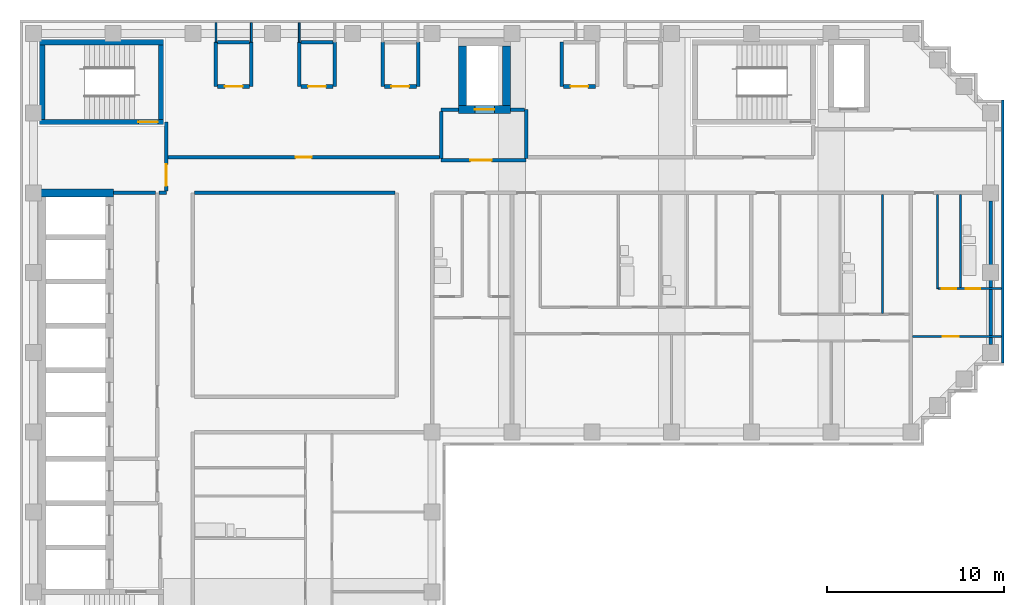
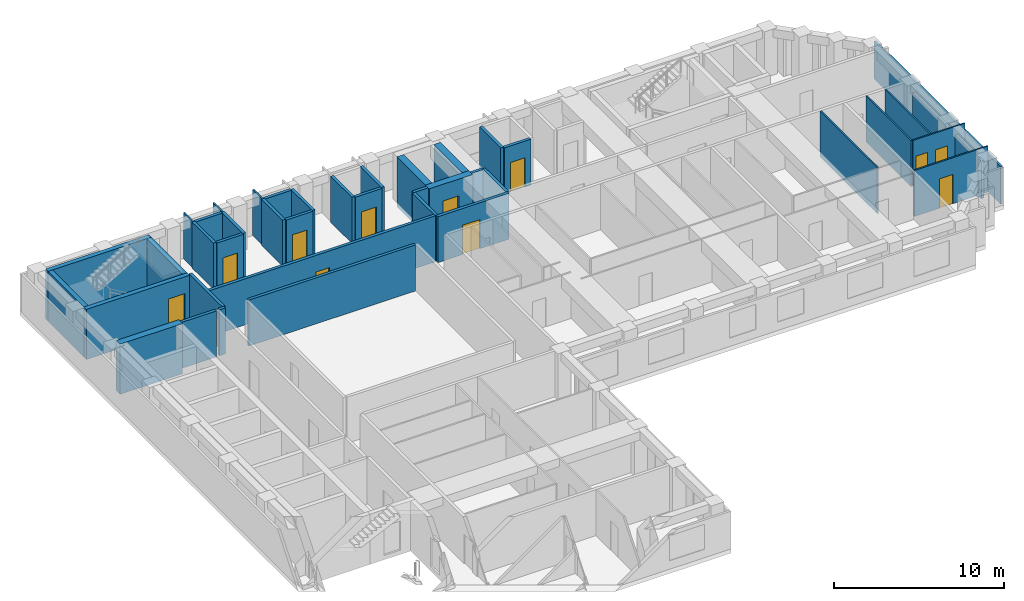
# One storey, part 5 of 9: 41 walls, 12 doors, 12 openings.
"""IFC4 building model written with IfcOpenShell, lengths in metres."""

from ifc_helpers import new_model, si_unit, direction, frame, frame_2d, origin, place, context, subcontext, project, spatial, rectangle, extrude, material, layer, layer_set, type_object, element, fill, save


model = new_model("IFC4")

# Units and contexts
model_context = context("Model", 3, precision=1e-05, world=origin(), true_north=direction((0.0, 1.0)))
body_context = subcontext(model_context, "Body", "Model", "MODEL_VIEW")
ifc_project = project(units=[si_unit("LENGTHUNIT", "METRE"), si_unit("AREAUNIT", "SQUARE_METRE"), si_unit("VOLUMEUNIT", "CUBIC_METRE"), si_unit("PLANEANGLEUNIT", "RADIAN"), si_unit("MASSUNIT", "GRAM", prefix="KILO")], contexts=[model_context])

# Site, building, storey
site_placement = place(None, origin())
site = spatial("IfcSite", under=ifc_project, at=site_placement, CompositionType="ELEMENT")
building_placement = place(site_placement, origin())
building = spatial("IfcBuilding", under=site, at=building_placement, Name="Firuza Court", CompositionType="ELEMENT")
storey_placement = place(building_placement, frame((0.0, 0.0, 215.0)))
storey = spatial("IfcBuildingStorey", under=building, at=storey_placement, Name="L55", CompositionType="ELEMENT", Elevation=215.0)

# Walls
ifc_material_1 = material(Name="Moisture-resistant gypsum board partition")
ifc_layer_1 = layer(ifc_material_1, 0.10009765625)
ifc_layer_set_1 = layer_set([ifc_layer_1], Name="Moisture-resistant gypsum board partition")
wall_type_1 = type_object("IfcWallType", Name="Bathroom partition 100", PredefinedType="PLUMBINGWALL", material=ifc_layer_set_1)
wall_1_placement = place(storey_placement, frame((47.89990234375, 42.699951171875, 0.0), z_axis=(0.0, 0.0, 1.0), x_axis=(0.0, 1.0, 0.0)))
element("IfcWall", 1, at=wall_1_placement, inside=storey, type_object=wall_type_1, Name="Bathroom partition 100 L55", PredefinedType="PLUMBINGWALL", context=body_context, shape_type="SweptSolid", body=[
    extrude(rectangle(XDim=6.699951171875, YDim=0.10009765625, at=frame_2d((3.35009765625, 0.0))), origin(), (0.0, 0.0, 1.0), 3.300048828125),
])
wall_2_placement = place(storey_placement, frame((52.300048828125, 44.14990234375, 0.0), z_axis=(0.0, 0.0, 1.0), x_axis=(0.0, 1.0, 0.0)))
element("IfcWall", 2, at=wall_2_placement, inside=storey, type_object=wall_type_1, Name="Bathroom partition 100 L55", PredefinedType="PLUMBINGWALL", context=body_context, shape_type="SweptSolid", body=[
    extrude(rectangle(XDim=5.25, YDim=0.10009765625, at=frame_2d((2.625, 0.0))), origin(), (0.0, 0.0, 1.0), 3.300048828125),
])

# Wall, opening, door
ifc_material_2 = material(Name="Concrete C50/60", Category="concrete")
ifc_layer_2 = layer(ifc_material_2, 0.300048828125)
ifc_layer_set_2 = layer_set([ifc_layer_2], Name="Concrete C50/60")
wall_type_2 = type_object("IfcWallType", Name="Core wall 300 C50/60", PredefinedType="SHEAR", material=ifc_layer_set_2)
wall_3_placement = place(storey_placement, frame((0.35009765625, 53.5, -0.300048828125), z_axis=(0.0, 0.0, 1.0), x_axis=(1.0, 0.0, 0.0)))
wall_3 = element("IfcWall", 3, at=wall_3_placement, inside=storey, type_object=wall_type_2, Name="Core wall stair L55", PredefinedType="SHEAR", context=body_context, shape_type="SweptSolid", body=[
    extrude(rectangle(XDim=7.0, YDim=0.300048828125, at=frame_2d((3.5, 0.0))), origin(), (0.0, 0.0, 1.0), 3.60009765625),
])
opening_1_placement = place(wall_3_placement, frame((5.580078125, 0.0, 0.300048828125)))
opening_1 = element("IfcOpeningElement", 4, at=opening_1_placement, cuts=wall_3, Name="Opening D55012", PredefinedType="OPENING", context=body_context, shape_type="SweptSolid", body=[
    extrude(rectangle(XDim=1.10009765625, YDim=2.10009765625, at=frame_2d((0.550048828125, 1.050048828125))), frame((0.0, 0.162109375, 0.0), z_axis=(0.0, -1.0, 0.0), x_axis=(1.0, 0.0, 0.0)), (0.0, 0.0, 1.0), 0.323974609375),
])
ifc_material_3 = material(Name="Timber door leaf in hardwood frame", Category="wood")
door_type_1 = type_object("IfcDoorType", Name="Stair door 1100", OperationType="SINGLE_SWING_LEFT", PredefinedType="DOOR", material=ifc_material_3)
door_1_placement = place(opening_1_placement, origin())
door_1 = element("IfcDoor", 5, at=door_1_placement, inside=storey, type_object=door_type_1, Name="Stair door S3", OperationType="SINGLE_SWING_RIGHT", OverallHeight=2.10009765625, OverallWidth=1.10009765625, PredefinedType="DOOR", context=body_context, shape_type="SweptSolid", body=[
    extrude(rectangle(XDim=1.10009765625, YDim=2.10009765625, at=frame_2d((0.550048828125, 1.050048828125))), frame((0.0, 0.02490234375, 0.0), z_axis=(0.0, -1.0, 0.0), x_axis=(1.0, 0.0, 0.0)), (0.0, 0.0, 1.0), 0.050048828125),
])
fill(opening_1, door_1)

# Walls
wall_4_placement = place(storey_placement, frame((0.35009765625, 58.0, -0.300048828125), z_axis=(0.0, 0.0, 1.0), x_axis=(1.0, 0.0, 0.0)))
element("IfcWall", 6, at=wall_4_placement, inside=storey, type_object=wall_type_2, Name="Core wall stair L55", PredefinedType="SHEAR", context=body_context, shape_type="SweptSolid", body=[
    extrude(rectangle(XDim=7.0, YDim=0.300048828125, at=frame_2d((3.5, 0.0))), origin(), (0.0, 0.0, 1.0), 3.60009765625),
])
for number, where, z_axis, x_axis, name in (
    (7, (0.5, 53.64990234375, -0.300048828125), (0.0, 0.0, 1.0), (0.0, 1.0, 0.0), "Core wall stair L55"),
    (8, (7.199951171875, 53.64990234375, -0.300048828125), (0.0, 0.0, 1.0), (0.0, 1.0, 0.0), "Core wall stair L55"),
):
    element("IfcWall", number, at=place(storey_placement, frame(where, z_axis=z_axis, x_axis=x_axis)), inside=storey, type_object=wall_type_2, Name=name, PredefinedType="SHEAR", context=body_context, shape_type="SweptSolid", body=[
        extrude(rectangle(XDim=4.2001953125, YDim=0.300048828125, at=frame_2d((2.10009765625, 0.0))), origin(), (0.0, 0.0, 1.0), 3.60009765625),
    ])
ifc_layer_3 = layer(ifc_material_2, 0.449951171875)
ifc_layer_set_3 = layer_set([ifc_layer_3], Name="Concrete C50/60")
wall_type_3 = type_object("IfcWallType", Name="Core wall 450 C50/60", PredefinedType="SHEAR", material=ifc_layer_set_3)
wall_5_placement = place(storey_placement, frame((0.27490234375, 49.5, -0.300048828125), z_axis=(0.0, 0.0, 1.0), x_axis=(1.0, 0.0, 0.0)))
element("IfcWall", 9, at=wall_5_placement, inside=storey, type_object=wall_type_3, Name="Core wall lift shaft L55", PredefinedType="SHEAR", context=body_context, shape_type="SweptSolid", body=[
    extrude(rectangle(XDim=4.25, YDim=0.449951171875, at=frame_2d((2.125, 0.0))), origin(), (0.0, 0.0, 1.0), 3.60009765625),
])

# Wall, opening, door
wall_6_placement = place(storey_placement, frame((23.97509765625, 54.199951171875, -0.300048828125), z_axis=(0.0, 0.0, 1.0), x_axis=(1.0, 0.0, 0.0)))
wall_6 = element("IfcWall", 10, at=wall_6_placement, inside=storey, type_object=wall_type_3, Name="Core wall lift shaft L55", PredefinedType="SHEAR", context=body_context, shape_type="SweptSolid", body=[
    extrude(rectangle(XDim=2.949951171875, YDim=0.449951171875, at=frame_2d((1.47509765625, 0.0))), origin(), (0.0, 0.0, 1.0), 3.60009765625),
])
opening_2_placement = place(wall_6_placement, frame((0.925048828125, 0.0, 0.300048828125)))
opening_2 = element("IfcOpeningElement", 11, at=opening_2_placement, cuts=wall_6, Name="Opening LD-FL3-55", PredefinedType="OPENING", context=body_context, shape_type="SweptSolid", body=[
    extrude(rectangle(XDim=1.10009765625, YDim=2.10009765625, at=frame_2d((0.550048828125, 1.050048828125))), frame((0.0, 0.23681640625, 0.0), z_axis=(0.0, -1.0, 0.0), x_axis=(1.0, 0.0, 0.0)), (0.0, 0.0, 1.0), 0.473876953125),
])
ifc_material_4 = material(Name="Stainless steel 1.4301 door leaf", Category="steel")
door_type_2 = type_object("IfcDoorType", Name="Lift landing door 1100", OperationType="SLIDING_TO_LEFT", PredefinedType="DOOR", material=ifc_material_4)
door_2_placement = place(opening_2_placement, origin())
door_2 = element("IfcDoor", 12, at=door_2_placement, inside=storey, type_object=door_type_2, Name="Landing door FL3", OperationType="SLIDING_TO_LEFT", OverallHeight=2.10009765625, OverallWidth=1.10009765625, PredefinedType="DOOR", context=body_context, shape_type="SweptSolid", body=[
    extrude(rectangle(XDim=1.10009765625, YDim=2.10009765625, at=frame_2d((0.550048828125, 1.050048828125))), frame((0.0, 0.02490234375, 0.0), z_axis=(0.0, -1.0, 0.0), x_axis=(1.0, 0.0, 0.0)), (0.0, 0.0, 1.0), 0.050048828125),
])
fill(opening_2, door_2)

# Walls
for number, where, z_axis, x_axis, name in (
    (13, (24.199951171875, 54.425048828125, -0.300048828125), (0.0, 0.0, 1.0), (0.0, 1.0, 0.0), "Core wall lift shaft L55"),
    (14, (26.699951171875, 54.425048828125, -0.300048828125), (0.0, 0.0, 1.0), (0.0, 1.0, 0.0), "Core wall lift shaft L55"),
):
    element("IfcWall", number, at=place(storey_placement, frame(where, z_axis=z_axis, x_axis=x_axis)), inside=storey, type_object=wall_type_3, Name=name, PredefinedType="SHEAR", context=body_context, shape_type="SweptSolid", body=[
        extrude(rectangle(XDim=3.349853515625, YDim=0.449951171875, at=frame_2d((1.6748046875, 0.0))), origin(), (0.0, 0.0, 1.0), 3.60009765625),
    ])
ifc_material_5 = material(Name="Blockwork, plastered both sides", Category="masonry")
ifc_layer_4 = layer(ifc_material_5, 0.199951171875)
ifc_layer_set_4 = layer_set([ifc_layer_4], Name="Blockwork, plastered both sides")
wall_type_4 = type_object("IfcWallType", Name="Corridor wall 200", PredefinedType="PARTITIONING", material=ifc_layer_set_4)
wall_7_placement = place(storey_placement, frame((9.10009765625, 49.5, 0.0), z_axis=(0.0, 0.0, 1.0), x_axis=(1.0, 0.0, 0.0)))
element("IfcWall", 15, at=wall_7_placement, inside=storey, type_object=wall_type_4, Name="Corridor wall 200 L55", PredefinedType="PARTITIONING", context=body_context, shape_type="SweptSolid", body=[
    extrude(rectangle(XDim=11.2998046875, YDim=0.199951171875, at=frame_2d((5.64990234375, 0.0))), origin(), (0.0, 0.0, 1.0), 3.300048828125),
])

# Wall, opening, door
wall_8_placement = place(storey_placement, frame((7.60009765625, 51.5, 0.0), z_axis=(0.0, 0.0, 1.0), x_axis=(1.0, 0.0, 0.0)))
wall_8 = element("IfcWall", 16, at=wall_8_placement, inside=storey, type_object=wall_type_4, Name="Corridor wall 200 L55", PredefinedType="PARTITIONING", context=body_context, shape_type="SweptSolid", body=[
    extrude(rectangle(XDim=15.2998046875, YDim=0.199951171875, at=frame_2d((7.64990234375, 0.0))), origin(), (0.0, 0.0, 1.0), 3.300048828125),
])
opening_3_placement = place(wall_8_placement, frame((7.199951171875, 0.0, 0.0)))
opening_3 = element("IfcOpeningElement", 17, at=opening_3_placement, cuts=wall_8, Name="Opening D55049", PredefinedType="OPENING", context=body_context, shape_type="SweptSolid", body=[
    extrude(rectangle(XDim=0.89990234375, YDim=2.10009765625, at=frame_2d((0.449951171875, 1.050048828125))), frame((0.0, 0.11181640625, 0.0), z_axis=(0.0, -1.0, 0.0), x_axis=(1.0, 0.0, 0.0)), (0.0, 0.0, 1.0), 0.223876953125),
])
ifc_material_6 = material(Name="Timber door leaf in hardwood frame", Category="wood")
door_type_3 = type_object("IfcDoorType", Name="Room door 900 EI 30", OperationType="SINGLE_SWING_LEFT", PredefinedType="DOOR", material=ifc_material_6)
door_3_placement = place(opening_3_placement, origin())
door_3 = element("IfcDoor", 18, at=door_3_placement, inside=storey, type_object=door_type_3, Name="Residents' workroom door", OperationType="SINGLE_SWING_LEFT", OverallHeight=2.10009765625, OverallWidth=0.89990234375, PredefinedType="DOOR", context=body_context, shape_type="SweptSolid", body=[
    extrude(rectangle(XDim=0.89990234375, YDim=2.10009765625, at=frame_2d((0.449951171875, 1.050048828125))), frame((0.0, 0.02490234375, 0.0), z_axis=(0.0, -1.0, 0.0), x_axis=(1.0, 0.0, 0.0)), (0.0, 0.0, 1.0), 0.050048828125),
])
fill(opening_3, door_3)

ifc_material_7 = material(Name="Timber stud partition, plasterboard both sides", Category="wood")
ifc_layer_5 = layer(ifc_material_7, 0.10009765625)
ifc_layer_set_5 = layer_set([ifc_layer_5], Name="Timber stud partition, plasterboard both sides")
wall_type_5 = type_object("IfcWallType", Name="Partition wall 100", PredefinedType="PARTITIONING", material=ifc_layer_set_5)
wall_9_placement = place(storey_placement, frame((49.60009765625, 41.39990234375, 0.0), z_axis=(0.0, 0.0, 1.0), x_axis=(1.0, 0.0, 0.0)))
wall_9 = element("IfcWall", 19, at=wall_9_placement, inside=storey, type_object=wall_type_5, Name="Partition wall 100 L55", PredefinedType="PARTITIONING", context=body_context, shape_type="SweptSolid", body=[
    extrude(rectangle(XDim=5.0, YDim=0.10009765625, at=frame_2d((2.5, 0.0))), origin(), (0.0, 0.0, 1.0), 3.300048828125),
])
opening_4_placement = place(wall_9_placement, frame((1.699951171875, 0.0, 0.0)))
opening_4 = element("IfcOpeningElement", 20, at=opening_4_placement, cuts=wall_9, Name="Opening D55029", PredefinedType="OPENING", context=body_context, shape_type="SweptSolid", body=[
    extrude(rectangle(XDim=0.89990234375, YDim=2.10009765625, at=frame_2d((0.449951171875, 1.050048828125))), frame((0.0, 0.06201171875, 0.0), z_axis=(0.0, -1.0, 0.0), x_axis=(1.0, 0.0, 0.0)), (0.0, 0.0, 1.0), 0.1240234375),
])
ifc_material_8 = material(Name="Timber door leaf in hardwood frame", Category="wood")
door_type_4 = type_object("IfcDoorType", Name="Room door 900", OperationType="SINGLE_SWING_LEFT", PredefinedType="DOOR", material=ifc_material_8)
door_4_placement = place(opening_4_placement, frame((0.89990234375, 0.0, 0.0), z_axis=(0.0, 0.0, 1.0), x_axis=(-1.0, 0.0, 0.0)))
door_4 = element("IfcDoor", 21, at=door_4_placement, inside=storey, type_object=door_type_4, Name="Studio room door", OperationType="SINGLE_SWING_RIGHT", OverallHeight=2.10009765625, OverallWidth=0.89990234375, PredefinedType="DOOR", context=body_context, shape_type="SweptSolid", body=[
    extrude(rectangle(XDim=0.89990234375, YDim=2.10009765625, at=frame_2d((0.449951171875, 1.050048828125))), frame((0.0, 0.02490234375, 0.0), z_axis=(0.0, -1.0, 0.0), x_axis=(1.0, 0.0, 0.0)), (0.0, 0.0, 1.0), 0.050048828125),
])
fill(opening_4, door_4)

# Wall
wall_10_placement = place(storey_placement, frame((51.0, 44.10009765625, 0.0), z_axis=(0.0, 0.0, 1.0), x_axis=(0.0, 1.0, 0.0)))
element("IfcWall", 22, at=wall_10_placement, inside=storey, type_object=wall_type_5, Name="Partition wall 100 L55", PredefinedType="PARTITIONING", context=body_context, shape_type="SweptSolid", body=[
    extrude(rectangle(XDim=5.2998046875, YDim=0.10009765625, at=frame_2d((2.64990234375, 0.0))), origin(), (0.0, 0.0, 1.0), 3.300048828125),
])

# Wall, openings, doors
wall_11_placement = place(storey_placement, frame((51.050048828125, 44.10009765625, 0.0), z_axis=(0.0, 0.0, 1.0), x_axis=(1.0, 0.0, 0.0)))
wall_11 = element("IfcWall", 23, at=wall_11_placement, inside=storey, type_object=wall_type_5, Name="Partition wall 100 L55", PredefinedType="PARTITIONING", context=body_context, shape_type="SweptSolid", body=[
    extrude(rectangle(XDim=3.550048828125, YDim=0.10009765625, at=frame_2d((1.77490234375, 0.0))), origin(), (0.0, 0.0, 1.0), 3.300048828125),
])
opening_5_placement = place(wall_11_placement, frame((1.550048828125, 0.0, 0.0)))
opening_5 = element("IfcOpeningElement", 24, at=opening_5_placement, cuts=wall_11, Name="Opening D55043", PredefinedType="OPENING", context=body_context, shape_type="SweptSolid", body=[
    extrude(rectangle(XDim=0.800048828125, YDim=2.10009765625, at=frame_2d((0.39990234375, 1.050048828125))), frame((0.0, 0.06201171875, 0.0), z_axis=(0.0, -1.0, 0.0), x_axis=(1.0, 0.0, 0.0)), (0.0, 0.0, 1.0), 0.1240234375),
])
opening_6_placement = place(wall_11_placement, frame((0.199951171875, 0.0, 0.0)))
opening_6 = element("IfcOpeningElement", 25, at=opening_6_placement, cuts=wall_11, Name="Opening D55044", PredefinedType="OPENING", context=body_context, shape_type="SweptSolid", body=[
    extrude(rectangle(XDim=0.800048828125, YDim=2.10009765625, at=frame_2d((0.39990234375, 1.050048828125))), frame((0.0, 0.06201171875, 0.0), z_axis=(0.0, -1.0, 0.0), x_axis=(1.0, 0.0, 0.0)), (0.0, 0.0, 1.0), 0.1240234375),
])
ifc_material_9 = material(Name="Timber door leaf in hardwood frame", Category="wood")
door_type_5 = type_object("IfcDoorType", Name="Bathroom door 800", OperationType="SINGLE_SWING_LEFT", PredefinedType="DOOR", material=ifc_material_9)
door_5_placement = place(opening_5_placement, origin())
door_5 = element("IfcDoor", 26, at=door_5_placement, inside=storey, type_object=door_type_5, Name="Bathroom door", OperationType="SINGLE_SWING_LEFT", OverallHeight=2.10009765625, OverallWidth=0.800048828125, PredefinedType="DOOR", context=body_context, shape_type="SweptSolid", body=[
    extrude(rectangle(XDim=0.800048828125, YDim=2.10009765625, at=frame_2d((0.39990234375, 1.050048828125))), frame((0.0, 0.02490234375, 0.0), z_axis=(0.0, -1.0, 0.0), x_axis=(1.0, 0.0, 0.0)), (0.0, 0.0, 1.0), 0.050048828125),
])
fill(opening_5, door_5)
ifc_material_10 = material(Name="Timber door leaf in hardwood frame", Category="wood")
door_type_6 = type_object("IfcDoorType", Name="Room door 800", OperationType="SINGLE_SWING_LEFT", PredefinedType="DOOR", material=ifc_material_10)
door_6_placement = place(opening_6_placement, origin())
door_6 = element("IfcDoor", 27, at=door_6_placement, inside=storey, type_object=door_type_6, Name="Kitchen door", OperationType="SINGLE_SWING_LEFT", OverallHeight=2.10009765625, OverallWidth=0.800048828125, PredefinedType="DOOR", context=body_context, shape_type="SweptSolid", body=[
    extrude(rectangle(XDim=0.800048828125, YDim=2.10009765625, at=frame_2d((0.39990234375, 1.050048828125))), frame((0.0, 0.02490234375, 0.0), z_axis=(0.0, -1.0, 0.0), x_axis=(1.0, 0.0, 0.0)), (0.0, 0.0, 1.0), 0.050048828125),
])
fill(opening_6, door_6)

# Walls
for number, where, z_axis, x_axis, name in (
    (28, (10.300048828125, 58.0, 0.0), (0.0, 0.0, 1.0), (0.0, 1.0, 0.0), "Partition wall 100 L55"),
    (29, (12.300048828125, 58.0, 0.0), (0.0, 0.0, 1.0), (0.0, 1.0, 0.0), "Partition wall 100 L55"),
    (30, (15.0, 58.0, 0.0), (0.0, 0.0, 1.0), (0.0, 1.0, 0.0), "Partition wall 100 L55"),
):
    element("IfcWall", number, at=place(storey_placement, frame(where, z_axis=z_axis, x_axis=x_axis)), inside=storey, type_object=wall_type_5, Name=name, PredefinedType="PARTITIONING", context=body_context, shape_type="SweptSolid", body=[
        extrude(rectangle(XDim=1.10009765625, YDim=0.10009765625, at=frame_2d((0.550048828125, 0.0))), origin(), (0.0, 0.0, 1.0), 3.300048828125),
    ])
ifc_layer_6 = layer(ifc_material_5, 0.199951171875)
ifc_layer_set_6 = layer_set([ifc_layer_6], Name="Blockwork, plastered both sides")
wall_type_6 = type_object("IfcWallType", Name="Party wall 200", PredefinedType="PARTITIONING", material=ifc_layer_set_6)
wall_12_placement = place(storey_placement, frame((54.0, 40.949951171875, 0.0), z_axis=(0.0, 0.0, 1.0), x_axis=(0.0, 1.0, 0.0)))
element("IfcWall", 31, at=wall_12_placement, inside=storey, type_object=wall_type_6, Name="Party wall 200 L55", PredefinedType="PARTITIONING", context=body_context, shape_type="SweptSolid", body=[
    extrude(rectangle(XDim=8.10009765625, YDim=0.199951171875, at=frame_2d((4.050048828125, 0.0))), origin(), (0.0, 0.0, 1.0), 2.699951171875),
])
ifc_material_11 = material(Name="Blockwork, fire-rated", Category="masonry")
ifc_layer_7 = layer(ifc_material_11, 0.199951171875)
ifc_layer_set_7 = layer_set([ifc_layer_7], Name="Blockwork, fire-rated")
wall_type_7 = type_object("IfcWallType", Name="Plant room wall 200", PredefinedType="PARTITIONING", material=ifc_layer_set_7)
wall_13_placement = place(storey_placement, frame((10.300048828125, 55.5, 0.0), z_axis=(0.0, 0.0, 1.0), x_axis=(0.0, 1.0, 0.0)))
element("IfcWall", 32, at=wall_13_placement, inside=storey, type_object=wall_type_7, Name="Plant room wall 200 L55", PredefinedType="PARTITIONING", context=body_context, shape_type="SweptSolid", body=[
    extrude(rectangle(XDim=2.5, YDim=0.199951171875, at=frame_2d((1.25, 0.0))), origin(), (0.0, 0.0, 1.0), 3.300048828125),
])

# Wall, opening, door
wall_14_placement = place(storey_placement, frame((10.39990234375, 55.5, 0.0), z_axis=(0.0, 0.0, 1.0), x_axis=(1.0, 0.0, 0.0)))
wall_14 = element("IfcWall", 33, at=wall_14_placement, inside=storey, type_object=wall_type_7, Name="Plant room wall 200 L55", PredefinedType="PARTITIONING", context=body_context, shape_type="SweptSolid", body=[
    extrude(rectangle(XDim=1.800048828125, YDim=0.199951171875, at=frame_2d((0.89990234375, 0.0))), origin(), (0.0, 0.0, 1.0), 3.300048828125),
])
opening_7_placement = place(wall_14_placement, frame((0.39990234375, 0.0, 0.0)))
opening_7 = element("IfcOpeningElement", 34, at=opening_7_placement, cuts=wall_14, Name="Opening D55052", PredefinedType="OPENING", context=body_context, shape_type="SweptSolid", body=[
    extrude(rectangle(XDim=1.0, YDim=2.10009765625, at=frame_2d((0.5, 1.050048828125))), frame((0.0, 0.11181640625, 0.0), z_axis=(0.0, -1.0, 0.0), x_axis=(1.0, 0.0, 0.0)), (0.0, 0.0, 1.0), 0.223876953125),
])
ifc_material_12 = material(Name="Timber door leaf in hardwood frame", Category="wood")
door_type_7 = type_object("IfcDoorType", Name="Riser door 1000", OperationType="SINGLE_SWING_LEFT", PredefinedType="DOOR", material=ifc_material_12)
door_7_placement = place(opening_7_placement, origin())
door_7 = element("IfcDoor", 35, at=door_7_placement, inside=storey, type_object=door_type_7, Name="Comms riser door", OperationType="SINGLE_SWING_LEFT", OverallHeight=2.10009765625, OverallWidth=1.0, PredefinedType="DOOR", context=body_context, shape_type="SweptSolid", body=[
    extrude(rectangle(XDim=1.0, YDim=2.10009765625, at=frame_2d((0.5, 1.050048828125))), frame((0.0, 0.02490234375, 0.0), z_axis=(0.0, -1.0, 0.0), x_axis=(1.0, 0.0, 0.0)), (0.0, 0.0, 1.0), 0.050048828125),
])
fill(opening_7, door_7)

# Walls
for number, where, z_axis, x_axis, name in (
    (36, (12.300048828125, 55.5, 0.0), (0.0, 0.0, 1.0), (0.0, 1.0, 0.0), "Plant room wall 200 L55"),
    (37, (15.0, 55.5, 0.0), (0.0, 0.0, 1.0), (0.0, 1.0, 0.0), "Plant room wall 200 L55"),
):
    element("IfcWall", number, at=place(storey_placement, frame(where, z_axis=z_axis, x_axis=x_axis)), inside=storey, type_object=wall_type_7, Name=name, PredefinedType="PARTITIONING", context=body_context, shape_type="SweptSolid", body=[
        extrude(rectangle(XDim=2.5, YDim=0.199951171875, at=frame_2d((1.25, 0.0))), origin(), (0.0, 0.0, 1.0), 3.300048828125),
    ])

# Wall, opening, door
wall_15_placement = place(storey_placement, frame((15.10009765625, 55.5, 0.0), z_axis=(0.0, 0.0, 1.0), x_axis=(1.0, 0.0, 0.0)))
wall_15 = element("IfcWall", 38, at=wall_15_placement, inside=storey, type_object=wall_type_7, Name="Plant room wall 200 L55", PredefinedType="PARTITIONING", context=body_context, shape_type="SweptSolid", body=[
    extrude(rectangle(XDim=1.7998046875, YDim=0.199951171875, at=frame_2d((0.89990234375, 0.0))), origin(), (0.0, 0.0, 1.0), 3.300048828125),
])
opening_8_placement = place(wall_15_placement, frame((0.39990234375, 0.0, 0.0)))
opening_8 = element("IfcOpeningElement", 39, at=opening_8_placement, cuts=wall_15, Name="Opening D55053", PredefinedType="OPENING", context=body_context, shape_type="SweptSolid", body=[
    extrude(rectangle(XDim=1.0, YDim=2.10009765625, at=frame_2d((0.5, 1.050048828125))), frame((0.0, 0.11181640625, 0.0), z_axis=(0.0, -1.0, 0.0), x_axis=(1.0, 0.0, 0.0)), (0.0, 0.0, 1.0), 0.223876953125),
])
door_8_placement = place(opening_8_placement, origin())
door_8 = element("IfcDoor", 40, at=door_8_placement, inside=storey, type_object=door_type_7, Name="Electrical riser door", OperationType="SINGLE_SWING_LEFT", OverallHeight=2.10009765625, OverallWidth=1.0, PredefinedType="DOOR", context=body_context, shape_type="SweptSolid", body=[
    extrude(rectangle(XDim=1.0, YDim=2.10009765625, at=frame_2d((0.5, 1.050048828125))), frame((0.0, 0.02490234375, 0.0), z_axis=(0.0, -1.0, 0.0), x_axis=(1.0, 0.0, 0.0)), (0.0, 0.0, 1.0), 0.050048828125),
])
fill(opening_8, door_8)

# Walls
for number, where, z_axis, x_axis, name in (
    (41, (17.0, 55.5, 0.0), (0.0, 0.0, 1.0), (0.0, 1.0, 0.0), "Plant room wall 200 L55"),
    (42, (19.699951171875, 55.5, 0.0), (0.0, 0.0, 1.0), (0.0, 1.0, 0.0), "Plant room wall 200 L55"),
):
    element("IfcWall", number, at=place(storey_placement, frame(where, z_axis=z_axis, x_axis=x_axis)), inside=storey, type_object=wall_type_7, Name=name, PredefinedType="PARTITIONING", context=body_context, shape_type="SweptSolid", body=[
        extrude(rectangle(XDim=2.5, YDim=0.199951171875, at=frame_2d((1.25, 0.0))), origin(), (0.0, 0.0, 1.0), 3.300048828125),
    ])

# Wall, opening, door
wall_16_placement = place(storey_placement, frame((19.800048828125, 55.5, 0.0), z_axis=(0.0, 0.0, 1.0), x_axis=(1.0, 0.0, 0.0)))
wall_16 = element("IfcWall", 43, at=wall_16_placement, inside=storey, type_object=wall_type_7, Name="Plant room wall 200 L55", PredefinedType="PARTITIONING", context=body_context, shape_type="SweptSolid", body=[
    extrude(rectangle(XDim=1.800048828125, YDim=0.199951171875, at=frame_2d((0.89990234375, 0.0))), origin(), (0.0, 0.0, 1.0), 3.300048828125),
])
opening_9_placement = place(wall_16_placement, frame((0.39990234375, 0.0, 0.0)))
opening_9 = element("IfcOpeningElement", 44, at=opening_9_placement, cuts=wall_16, Name="Opening D55054", PredefinedType="OPENING", context=body_context, shape_type="SweptSolid", body=[
    extrude(rectangle(XDim=1.0, YDim=2.10009765625, at=frame_2d((0.5, 1.050048828125))), frame((0.0, 0.11181640625, 0.0), z_axis=(0.0, -1.0, 0.0), x_axis=(1.0, 0.0, 0.0)), (0.0, 0.0, 1.0), 0.223876953125),
])
door_9_placement = place(opening_9_placement, origin())
door_9 = element("IfcDoor", 45, at=door_9_placement, inside=storey, type_object=door_type_7, Name="Duct riser door", OperationType="SINGLE_SWING_LEFT", OverallHeight=2.10009765625, OverallWidth=1.0, PredefinedType="DOOR", context=body_context, shape_type="SweptSolid", body=[
    extrude(rectangle(XDim=1.0, YDim=2.10009765625, at=frame_2d((0.5, 1.050048828125))), frame((0.0, 0.02490234375, 0.0), z_axis=(0.0, -1.0, 0.0), x_axis=(1.0, 0.0, 0.0)), (0.0, 0.0, 1.0), 0.050048828125),
])
fill(opening_9, door_9)

# Walls
for number, where, z_axis, x_axis, name in (
    (46, (21.699951171875, 55.5, 0.0), (0.0, 0.0, 1.0), (0.0, 1.0, 0.0), "Plant room wall 200 L55"),
    (47, (29.800048828125, 55.5, 0.0), (0.0, 0.0, 1.0), (0.0, 1.0, 0.0), "Plant room wall 200 L55"),
):
    element("IfcWall", number, at=place(storey_placement, frame(where, z_axis=z_axis, x_axis=x_axis)), inside=storey, type_object=wall_type_7, Name=name, PredefinedType="PARTITIONING", context=body_context, shape_type="SweptSolid", body=[
        extrude(rectangle(XDim=2.5, YDim=0.199951171875, at=frame_2d((1.25, 0.0))), origin(), (0.0, 0.0, 1.0), 3.300048828125),
    ])

# Wall, opening, door
wall_17_placement = place(storey_placement, frame((29.89990234375, 55.5, 0.0), z_axis=(0.0, 0.0, 1.0), x_axis=(1.0, 0.0, 0.0)))
wall_17 = element("IfcWall", 48, at=wall_17_placement, inside=storey, type_object=wall_type_7, Name="Plant room wall 200 L55", PredefinedType="PARTITIONING", context=body_context, shape_type="SweptSolid", body=[
    extrude(rectangle(XDim=1.800048828125, YDim=0.199951171875, at=frame_2d((0.89990234375, 0.0))), origin(), (0.0, 0.0, 1.0), 3.300048828125),
])
opening_10_placement = place(wall_17_placement, frame((0.39990234375, 0.0, 0.0)))
opening_10 = element("IfcOpeningElement", 49, at=opening_10_placement, cuts=wall_17, Name="Opening D55055", PredefinedType="OPENING", context=body_context, shape_type="SweptSolid", body=[
    extrude(rectangle(XDim=1.0, YDim=2.10009765625, at=frame_2d((0.5, 1.050048828125))), frame((0.0, 0.11181640625, 0.0), z_axis=(0.0, -1.0, 0.0), x_axis=(1.0, 0.0, 0.0)), (0.0, 0.0, 1.0), 0.223876953125),
])
door_10_placement = place(opening_10_placement, origin())
door_10 = element("IfcDoor", 50, at=door_10_placement, inside=storey, type_object=door_type_7, Name="Electrical riser door", OperationType="SINGLE_SWING_LEFT", OverallHeight=2.10009765625, OverallWidth=1.0, PredefinedType="DOOR", context=body_context, shape_type="SweptSolid", body=[
    extrude(rectangle(XDim=1.0, YDim=2.10009765625, at=frame_2d((0.5, 1.050048828125))), frame((0.0, 0.02490234375, 0.0), z_axis=(0.0, -1.0, 0.0), x_axis=(1.0, 0.0, 0.0)), (0.0, 0.0, 1.0), 0.050048828125),
])
fill(opening_10, door_10)

# Walls
wall_18_placement = place(storey_placement, frame((10.39990234375, 58.0, 0.0), z_axis=(0.0, 0.0, 1.0), x_axis=(1.0, 0.0, 0.0)))
element("IfcWall", 51, at=wall_18_placement, inside=storey, type_object=wall_type_7, Name="Plant room wall 200 L55", PredefinedType="PARTITIONING", context=body_context, shape_type="SweptSolid", body=[
    extrude(rectangle(XDim=1.800048828125, YDim=0.199951171875, at=frame_2d((0.89990234375, 0.0))), origin(), (0.0, 0.0, 1.0), 3.300048828125),
])
wall_19_placement = place(storey_placement, frame((15.10009765625, 58.0, 0.0), z_axis=(0.0, 0.0, 1.0), x_axis=(1.0, 0.0, 0.0)))
element("IfcWall", 52, at=wall_19_placement, inside=storey, type_object=wall_type_7, Name="Plant room wall 200 L55", PredefinedType="PARTITIONING", context=body_context, shape_type="SweptSolid", body=[
    extrude(rectangle(XDim=1.7998046875, YDim=0.199951171875, at=frame_2d((0.89990234375, 0.0))), origin(), (0.0, 0.0, 1.0), 3.300048828125),
])
ifc_material_13 = material(Name="Ceramic tile", Category="ceramic")
ifc_layer_8 = layer(ifc_material_13, 0.02001953125)
ifc_material_14 = material(Name="Mineral wool insulation", Category="insulation")
ifc_layer_9 = layer(ifc_material_14, 0.050048828125)
ifc_material_15 = material(Name="Concrete C40/50 precast", Category="concrete")
ifc_layer_10 = layer(ifc_material_15, 0.080078125)
ifc_layer_set_8 = layer_set([ifc_layer_8, ifc_layer_9, ifc_layer_10], Name="Concrete C40/50 precast")
wall_type_8 = type_object("IfcWallType", Name="Precast cladding wall with turquoise TILE PANEL face 150", PredefinedType="STANDARD", material=ifc_layer_set_8)
wall_20_placement = place(storey_placement, frame((54.675048828125, 39.89990234375, 0.0), z_axis=(0.0, 0.0, 1.0), x_axis=(0.0, 1.0, 0.0)))
element("IfcWall", 53, at=wall_20_placement, inside=storey, type_object=wall_type_8, Name="Facade wall L55 E", PredefinedType="STANDARD", context=body_context, shape_type="SweptSolid", body=[
    extrude(rectangle(XDim=14.85009765625, YDim=0.14990234375, at=frame_2d((7.425048828125, 0.0))), origin(), (0.0, 0.0, 1.0), 2.699951171875),
])
ifc_layer_11 = layer(ifc_material_11, 0.199951171875)
ifc_layer_set_9 = layer_set([ifc_layer_11], Name="Blockwork, fire-rated")
wall_type_9 = type_object("IfcWallType", Name="Shaft wall 200", PredefinedType="PARTITIONING", material=ifc_layer_set_9)
wall_21_placement = place(storey_placement, frame((4.52490234375, 49.5, 0.0), z_axis=(0.0, 0.0, 1.0), x_axis=(1.0, 0.0, 0.0)))
element("IfcWall", 54, at=wall_21_placement, inside=storey, type_object=wall_type_9, Name="Shaft wall 200 L55", PredefinedType="PARTITIONING", context=body_context, shape_type="SweptSolid", body=[
    extrude(rectangle(XDim=2.375, YDim=0.199951171875, at=frame_2d((1.1875, 0.0))), origin(), (0.0, 0.0, 1.0), 3.300048828125),
])

# Wall, opening, door
wall_22_placement = place(storey_placement, frame((23.0, 51.35009765625, 0.0), z_axis=(0.0, 0.0, 1.0), x_axis=(1.0, 0.0, 0.0)))
wall_22 = element("IfcWall", 55, at=wall_22_placement, inside=storey, type_object=wall_type_9, Name="Shaft wall 200 L55", PredefinedType="PARTITIONING", context=body_context, shape_type="SweptSolid", body=[
    extrude(rectangle(XDim=4.800048828125, YDim=0.199951171875, at=frame_2d((2.39990234375, 0.0))), origin(), (0.0, 0.0, 1.0), 3.300048828125),
])
opening_11_placement = place(wall_22_placement, frame((1.64990234375, 0.0, 0.0)))
opening_11 = element("IfcOpeningElement", 56, at=opening_11_placement, cuts=wall_22, Name="Opening D55003", PredefinedType="OPENING", context=body_context, shape_type="SweptSolid", body=[
    extrude(rectangle(XDim=1.199951171875, YDim=2.10009765625, at=frame_2d((0.60009765625, 1.050048828125))), frame((0.0, 0.11181640625, 0.0), z_axis=(0.0, -1.0, 0.0), x_axis=(1.0, 0.0, 0.0)), (0.0, 0.0, 1.0), 0.223876953125),
])
ifc_material_16 = material(Name="Timber door leaf in hardwood frame", Category="wood")
door_type_8 = type_object("IfcDoorType", Name="Lobby door 1200", OperationType="SINGLE_SWING_LEFT", PredefinedType="DOOR", material=ifc_material_16)
door_11_placement = place(opening_11_placement, origin())
door_11 = element("IfcDoor", 57, at=door_11_placement, inside=storey, type_object=door_type_8, Name="Fire-fighting lobby door", OperationType="SINGLE_SWING_LEFT", OverallHeight=2.10009765625, OverallWidth=1.199951171875, PredefinedType="DOOR", context=body_context, shape_type="SweptSolid", body=[
    extrude(rectangle(XDim=1.199951171875, YDim=2.10009765625, at=frame_2d((0.60009765625, 1.050048828125))), frame((0.0, 0.02490234375, 0.0), z_axis=(0.0, -1.0, 0.0), x_axis=(1.0, 0.0, 0.0)), (0.0, 0.0, 1.0), 0.050048828125),
])
fill(opening_11, door_11)

# Walls
wall_23_placement = place(storey_placement, frame((27.800048828125, 51.449951171875, 0.0), z_axis=(0.0, 0.0, 1.0), x_axis=(0.0, 1.0, 0.0)))
element("IfcWall", 58, at=wall_23_placement, inside=storey, type_object=wall_type_9, Name="Shaft wall 200 L55", PredefinedType="PARTITIONING", context=body_context, shape_type="SweptSolid", body=[
    extrude(rectangle(XDim=2.75, YDim=0.199951171875, at=frame_2d((1.375, 0.0))), origin(), (0.0, 0.0, 1.0), 3.300048828125),
])
wall_24_placement = place(storey_placement, frame((23.0, 54.199951171875, 0.0), z_axis=(0.0, 0.0, 1.0), x_axis=(1.0, 0.0, 0.0)))
element("IfcWall", 59, at=wall_24_placement, inside=storey, type_object=wall_type_9, Name="Shaft wall 200 L55", PredefinedType="PARTITIONING", context=body_context, shape_type="SweptSolid", body=[
    extrude(rectangle(XDim=0.97509765625, YDim=0.199951171875, at=frame_2d((0.487548828125, 0.0))), origin(), (0.0, 0.0, 1.0), 3.300048828125),
])
wall_25_placement = place(storey_placement, frame((26.925048828125, 54.199951171875, 0.0), z_axis=(0.0, 0.0, 1.0), x_axis=(1.0, 0.0, 0.0)))
element("IfcWall", 60, at=wall_25_placement, inside=storey, type_object=wall_type_9, Name="Shaft wall 200 L55", PredefinedType="PARTITIONING", context=body_context, shape_type="SweptSolid", body=[
    extrude(rectangle(XDim=0.77490234375, YDim=0.199951171875, at=frame_2d((0.387451171875, 0.0))), origin(), (0.0, 0.0, 1.0), 3.300048828125),
])
wall_26_placement = place(storey_placement, frame((23.0, 51.449951171875, 0.0), z_axis=(0.0, 0.0, 1.0), x_axis=(0.0, 1.0, 0.0)))
element("IfcWall", 61, at=wall_26_placement, inside=storey, type_object=wall_type_9, Name="Shaft wall 200 L55", PredefinedType="PARTITIONING", context=body_context, shape_type="SweptSolid", body=[
    extrude(rectangle(XDim=2.650146484375, YDim=0.199951171875, at=frame_2d((1.3251953125, 0.0))), origin(), (0.0, 0.0, 1.0), 3.300048828125),
])
wall_27_placement = place(storey_placement, frame((7.10009765625, 49.5, 0.0), z_axis=(0.0, 0.0, 1.0), x_axis=(1.0, 0.0, 0.0)))
element("IfcWall", 62, at=wall_27_placement, inside=storey, type_object=wall_type_9, Name="Shaft wall 200 L55", PredefinedType="PARTITIONING", context=body_context, shape_type="SweptSolid", body=[
    extrude(rectangle(XDim=0.39990234375, YDim=0.199951171875, at=frame_2d((0.199951171875, 0.0))), origin(), (0.0, 0.0, 1.0), 3.300048828125),
])

# Wall, opening, door
wall_28_placement = place(storey_placement, frame((7.5, 49.60009765625, 0.0), z_axis=(0.0, 0.0, 1.0), x_axis=(0.0, 1.0, 0.0)))
wall_28 = element("IfcWall", 63, at=wall_28_placement, inside=storey, type_object=wall_type_9, Name="Shaft wall 200 L55", PredefinedType="PARTITIONING", context=body_context, shape_type="SweptSolid", body=[
    extrude(rectangle(XDim=3.89990234375, YDim=0.199951171875, at=frame_2d((1.949951171875, 0.0))), origin(), (0.0, 0.0, 1.0), 3.300048828125),
])
opening_12_placement = place(wall_28_placement, frame((0.300048828125, 0.0, 0.0)))
opening_12 = element("IfcOpeningElement", 64, at=opening_12_placement, cuts=wall_28, Name="Opening D55001", PredefinedType="OPENING", context=body_context, shape_type="SweptSolid", body=[
    extrude(rectangle(XDim=1.199951171875, YDim=2.10009765625, at=frame_2d((0.60009765625, 1.050048828125))), frame((0.0, 0.11181640625, 0.0), z_axis=(0.0, -1.0, 0.0), x_axis=(1.0, 0.0, 0.0)), (0.0, 0.0, 1.0), 0.223876953125),
])
door_12_placement = place(opening_12_placement, origin())
door_12 = element("IfcDoor", 65, at=door_12_placement, inside=storey, type_object=door_type_8, Name="Lobby door", OperationType="SINGLE_SWING_LEFT", OverallHeight=2.10009765625, OverallWidth=1.199951171875, PredefinedType="DOOR", context=body_context, shape_type="SweptSolid", body=[
    extrude(rectangle(XDim=1.199951171875, YDim=2.10009765625, at=frame_2d((0.60009765625, 1.050048828125))), frame((0.0, 0.02490234375, 0.0), z_axis=(0.0, -1.0, 0.0), x_axis=(1.0, 0.0, 0.0)), (0.0, 0.0, 1.0), 0.050048828125),
])
fill(opening_12, door_12)

save(model, "model.ifc")
